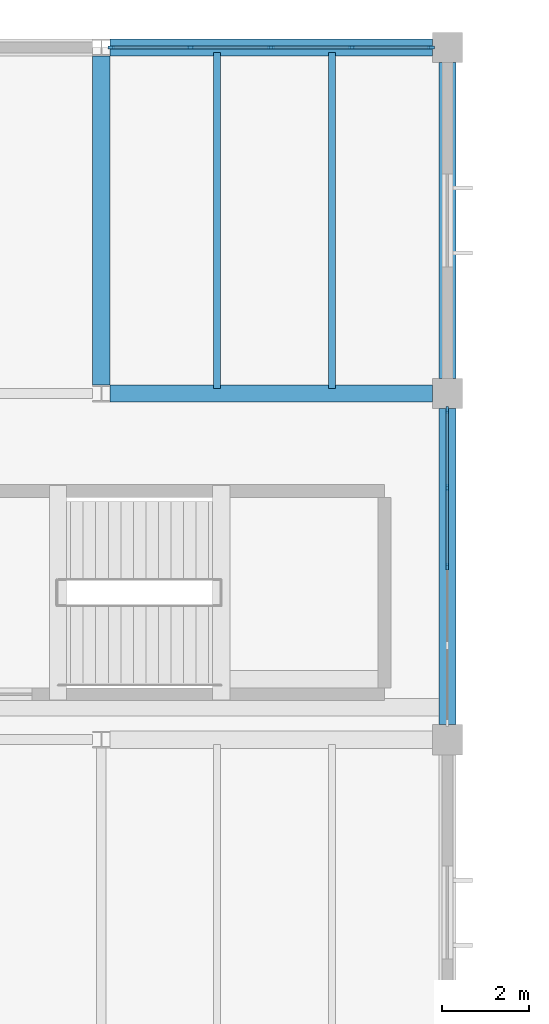
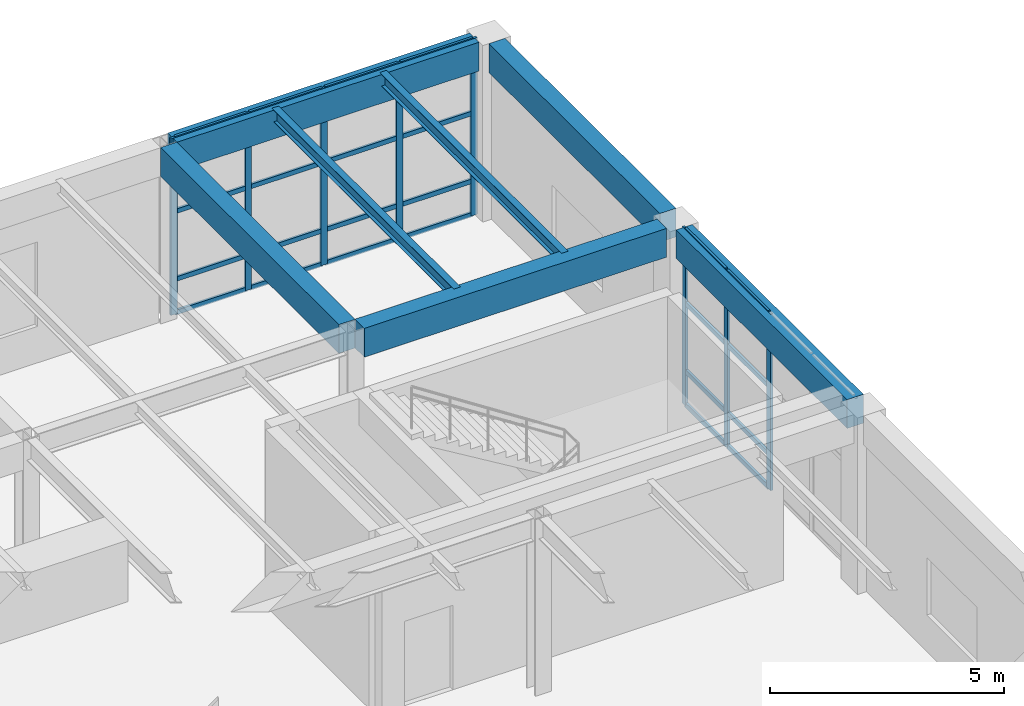
# One storey, part 32 of 60: 32 members, 7 beams, 2 elements without a shape of their own.
"""IFC4 building model written with IfcOpenShell, lengths in metres."""

from ifc_helpers import new_model, si_unit, direction, frame, origin, origin_2d, place, context, subcontext, project, spatial, rectangle, i_section, extrude, material, layer, layer_set, material_profile, profile_set, type_object, element, aggregate, save


model = new_model("IFC4")

# Units and contexts
model_context = context("Model", 3, precision=1e-05, world=origin(), true_north=direction((0.0, 1.0)))
body_context = subcontext(model_context, "Body", "Model", "MODEL_VIEW")
ifc_project = project(units=[si_unit("LENGTHUNIT", "METRE"), si_unit("AREAUNIT", "SQUARE_METRE"), si_unit("VOLUMEUNIT", "CUBIC_METRE"), si_unit("PLANEANGLEUNIT", "RADIAN"), si_unit("MASSUNIT", "GRAM", prefix="KILO")], contexts=[model_context])

# Site, building, storey
site_placement = place(None, origin())
site = spatial("IfcSite", under=ifc_project, at=site_placement, CompositionType="ELEMENT")
building_placement = place(site_placement, origin())
building = spatial("IfcBuilding", under=site, at=building_placement, Name="Varnela Railside Interchange", CompositionType="ELEMENT")
storey_placement = place(building_placement, frame((0.0, 0.0, 6.300048828125)))
storey = spatial("IfcBuildingStorey", under=building, at=storey_placement, Name="L01", CompositionType="ELEMENT", Elevation=6.300048828125)

# Beams
ifc_material_1 = material(Name="Steel AR 350 (350 MPa)", Category="steel")
ifc_material_profile_1 = material_profile(ifc_material_1, i_section(OverallWidth=0.1650390625, OverallDepth=0.31005859375, WebThickness=0.005859375, FlangeThickness=0.009765625, at=origin_2d()), Name="W310x38.7")
ifc_profile_set_1 = profile_set([ifc_material_profile_1], Name="Steel AR 350 (350 MPa)")
beam_type_1 = type_object("IfcBeamType", Name="Composite Floor Joist J-04", PredefinedType="JOIST", material=ifc_profile_set_1)
for number, where, z_axis, x_axis, name in (
    (1, (134.669921875, 86.114501953125, 4.445068359375), (0.0, 1.0, 0.0), (-1.0, 0.0, 0.0), "Composite Floor Joist J-04 (L01) (BM-1508)"),
    (2, (137.330078125, 86.114501953125, 4.445068359375), (0.0, 1.0, 0.0), (-1.0, 0.0, 0.0), "Composite Floor Joist J-04 (L01) (BM-1509)"),
):
    element("IfcBeam", number, at=place(storey_placement, frame(where, z_axis=z_axis, x_axis=x_axis)), inside=storey, type_object=beam_type_1, Name=name, PredefinedType="JOIST", context=body_context, shape_type="SweptSolid", body=[
        extrude(i_section(OverallWidth=0.1650390625, OverallDepth=0.31005859375, WebThickness=0.005859375, FlangeThickness=0.009765625, at=origin_2d()), origin(), (0.0, 0.0, 1.0), 7.77099609375),
    ])

# Curtain wall, members
ifc_material_2 = material(Name="Aluminium 6063-T6", Category="aluminium")
ifc_layer = layer(ifc_material_2, 0.035888671875)
ifc_layer_set = layer_set([ifc_layer], Name="Aluminium 6063-T6")
curtain_wall_type = type_object("IfcCurtainWallType", Name="Study Pavilion Gallery Curtain Wall CW-02", PredefinedType="USERDEFINED", material=ifc_layer_set)
curtain_wall_1_placement = place(storey_placement, origin())
curtain_wall_1 = element("IfcCurtainWall", 3, at=curtain_wall_1_placement, inside=storey, type_object=curtain_wall_type, Name="Curtain Wall CW-02 (L01) (CW-032)", ObjectType="CURTAIN WALL", PredefinedType="USERDEFINED")
ifc_material_profile_2 = material_profile(ifc_material_2, rectangle(XDim=0.06005859375, YDim=0.159912109375, at=origin_2d()), Name="ALU 60x160")
ifc_profile_set_2 = profile_set([ifc_material_profile_2], Name="Aluminium 6063-T6")
member_type_1 = type_object("IfcMemberType", Name="Curtain Wall Mullion ML-02", PredefinedType="MULLION", material=ifc_profile_set_2)
member_1_placement = place(storey_placement, frame((132.22900390625, 94.0, 0.0), z_axis=(0.0, 0.0, 1.0), x_axis=(0.0, 1.0, 0.0)))
member_1 = element("IfcMember", 4, at=member_1_placement, type_object=member_type_1, Name="CW-02 mullion 1", PredefinedType="MULLION", context=body_context, shape_type="SweptSolid", body=[
    extrude(rectangle(XDim=0.06005859375, YDim=0.159912109375, at=origin_2d()), origin(), (0.0, 0.0, 1.0), 4.599853515625),
])
member_2_placement = place(storey_placement, frame((134.061767578125, 94.0, 0.0), z_axis=(0.0, 0.0, 1.0), x_axis=(0.0, 1.0, 0.0)))
member_2 = element("IfcMember", 5, at=member_2_placement, type_object=member_type_1, Name="CW-02 mullion 2", PredefinedType="MULLION", context=body_context, shape_type="SweptSolid", body=[
    extrude(rectangle(XDim=0.06005859375, YDim=0.159912109375, at=origin_2d()), origin(), (0.0, 0.0, 1.0), 4.599853515625),
])
member_3_placement = place(storey_placement, frame((135.924560546875, 94.0, 0.0), z_axis=(0.0, 0.0, 1.0), x_axis=(0.0, 1.0, 0.0)))
member_3 = element("IfcMember", 6, at=member_3_placement, type_object=member_type_1, Name="CW-02 mullion 3", PredefinedType="MULLION", context=body_context, shape_type="SweptSolid", body=[
    extrude(rectangle(XDim=0.06005859375, YDim=0.159912109375, at=origin_2d()), origin(), (0.0, 0.0, 1.0), 4.599853515625),
])
member_4_placement = place(storey_placement, frame((137.787353515625, 94.0, 0.0), z_axis=(0.0, 0.0, 1.0), x_axis=(0.0, 1.0, 0.0)))
member_4 = element("IfcMember", 7, at=member_4_placement, type_object=member_type_1, Name="CW-02 mullion 4", PredefinedType="MULLION", context=body_context, shape_type="SweptSolid", body=[
    extrude(rectangle(XDim=0.06005859375, YDim=0.159912109375, at=origin_2d()), origin(), (0.0, 0.0, 1.0), 4.599853515625),
])
member_5_placement = place(storey_placement, frame((139.6201171875, 94.0, 0.0), z_axis=(0.0, 0.0, 1.0), x_axis=(0.0, 1.0, 0.0)))
member_5 = element("IfcMember", 8, at=member_5_placement, type_object=member_type_1, Name="CW-02 mullion 5", PredefinedType="MULLION", context=body_context, shape_type="SweptSolid", body=[
    extrude(rectangle(XDim=0.06005859375, YDim=0.159912109375, at=origin_2d()), origin(), (0.0, 0.0, 1.0), 4.599853515625),
])

curtain_wall_2_placement = place(storey_placement, origin())
curtain_wall_2 = element("IfcCurtainWall", 9, at=curtain_wall_2_placement, inside=storey, type_object=curtain_wall_type, Name="Curtain Wall CW-02 (L01) (CW-033)", ObjectType="CURTAIN WALL", PredefinedType="USERDEFINED")
member_6_placement = place(storey_placement, frame((140.0, 85.6201171875, 0.0), z_axis=(0.0, 0.0, 1.0), x_axis=(1.0, 0.0, 0.0)))
member_6 = element("IfcMember", 10, at=member_6_placement, type_object=member_type_1, Name="CW-02 mullion 1", PredefinedType="MULLION", context=body_context, shape_type="SweptSolid", body=[
    extrude(rectangle(XDim=0.06005859375, YDim=0.159912109375, at=origin_2d()), origin(), (0.0, 0.0, 1.0), 4.599853515625),
])
member_7_placement = place(storey_placement, frame((140.0, 83.824951171875, 0.0), z_axis=(0.0, 0.0, 1.0), x_axis=(1.0, 0.0, 0.0)))
member_7 = element("IfcMember", 11, at=member_7_placement, type_object=member_type_1, Name="CW-02 mullion 2", PredefinedType="MULLION", context=body_context, shape_type="SweptSolid", body=[
    extrude(rectangle(XDim=0.06005859375, YDim=0.159912109375, at=origin_2d()), origin(), (0.0, 0.0, 1.0), 4.599853515625),
])
member_8_placement = place(storey_placement, frame((140.0, 82.0, 0.0), z_axis=(0.0, 0.0, 1.0), x_axis=(1.0, 0.0, 0.0)))
member_8 = element("IfcMember", 12, at=member_8_placement, type_object=member_type_1, Name="CW-02 mullion 3", PredefinedType="MULLION", context=body_context, shape_type="SweptSolid", body=[
    extrude(rectangle(XDim=0.06005859375, YDim=0.159912109375, at=origin_2d()), origin(), (0.0, 0.0, 1.0), 4.599853515625),
])

# Member
ifc_material_profile_3 = material_profile(ifc_material_2, rectangle(XDim=0.06005859375, YDim=0.1201171875, at=origin_2d()), Name="ALU 60x120")
ifc_profile_set_3 = profile_set([ifc_material_profile_3], Name="Aluminium 6063-T6")
member_type_2 = type_object("IfcMemberType", Name="Curtain Wall Transom TR-02", PredefinedType="USERDEFINED", material=ifc_profile_set_3)
member_9_placement = place(storey_placement, frame((132.259033203125, 94.0, 0.030029296875), z_axis=(1.0, 0.0, 0.0), x_axis=(0.0, 1.0, 0.0)))
member_9 = element("IfcMember", 13, at=member_9_placement, type_object=member_type_2, Name="CW-02 transom 1.1", ObjectType="TRANSOM", PredefinedType="USERDEFINED", context=body_context, shape_type="SweptSolid", body=[
    extrude(rectangle(XDim=0.06005859375, YDim=0.1201171875, at=origin_2d()), origin(), (0.0, 0.0, 1.0), 1.772705078125),
])

member_10_placement = place(storey_placement, frame((132.259033203125, 94.0, 0.89990234375), z_axis=(1.0, 0.0, 0.0), x_axis=(0.0, 1.0, 0.0)))
member_10 = element("IfcMember", 14, at=member_10_placement, type_object=member_type_2, Name="CW-02 transom 1.2", ObjectType="TRANSOM", PredefinedType="USERDEFINED", context=body_context, shape_type="SweptSolid", body=[
    extrude(rectangle(XDim=0.06005859375, YDim=0.1201171875, at=origin_2d()), origin(), (0.0, 0.0, 1.0), 1.772705078125),
])

member_11_placement = place(storey_placement, frame((132.259033203125, 94.0, 2.66796875), z_axis=(1.0, 0.0, 0.0), x_axis=(0.0, 1.0, 0.0)))
member_11 = element("IfcMember", 15, at=member_11_placement, type_object=member_type_2, Name="CW-02 transom 1.3", ObjectType="TRANSOM", PredefinedType="USERDEFINED", context=body_context, shape_type="SweptSolid", body=[
    extrude(rectangle(XDim=0.06005859375, YDim=0.1201171875, at=origin_2d()), origin(), (0.0, 0.0, 1.0), 1.772705078125),
])

member_12_placement = place(storey_placement, frame((132.259033203125, 94.0, 4.570068359375), z_axis=(1.0, 0.0, 0.0), x_axis=(0.0, 1.0, 0.0)))
member_12 = element("IfcMember", 16, at=member_12_placement, type_object=member_type_2, Name="CW-02 transom 1.4", ObjectType="TRANSOM", PredefinedType="USERDEFINED", context=body_context, shape_type="SweptSolid", body=[
    extrude(rectangle(XDim=0.06005859375, YDim=0.1201171875, at=origin_2d()), origin(), (0.0, 0.0, 1.0), 1.772705078125),
])

member_13_placement = place(storey_placement, frame((134.091796875, 94.0, 0.030029296875), z_axis=(1.0, 0.0, 0.0), x_axis=(0.0, 1.0, 0.0)))
member_13 = element("IfcMember", 17, at=member_13_placement, type_object=member_type_2, Name="CW-02 transom 2.1", ObjectType="TRANSOM", PredefinedType="USERDEFINED", context=body_context, shape_type="SweptSolid", body=[
    extrude(rectangle(XDim=0.06005859375, YDim=0.1201171875, at=origin_2d()), origin(), (0.0, 0.0, 1.0), 1.802734375),
])

member_14_placement = place(storey_placement, frame((134.091796875, 94.0, 0.89990234375), z_axis=(1.0, 0.0, 0.0), x_axis=(0.0, 1.0, 0.0)))
member_14 = element("IfcMember", 18, at=member_14_placement, type_object=member_type_2, Name="CW-02 transom 2.2", ObjectType="TRANSOM", PredefinedType="USERDEFINED", context=body_context, shape_type="SweptSolid", body=[
    extrude(rectangle(XDim=0.06005859375, YDim=0.1201171875, at=origin_2d()), origin(), (0.0, 0.0, 1.0), 1.802734375),
])

member_15_placement = place(storey_placement, frame((134.091796875, 94.0, 2.66796875), z_axis=(1.0, 0.0, 0.0), x_axis=(0.0, 1.0, 0.0)))
member_15 = element("IfcMember", 19, at=member_15_placement, type_object=member_type_2, Name="CW-02 transom 2.3", ObjectType="TRANSOM", PredefinedType="USERDEFINED", context=body_context, shape_type="SweptSolid", body=[
    extrude(rectangle(XDim=0.06005859375, YDim=0.1201171875, at=origin_2d()), origin(), (0.0, 0.0, 1.0), 1.802734375),
])

member_16_placement = place(storey_placement, frame((134.091796875, 94.0, 4.570068359375), z_axis=(1.0, 0.0, 0.0), x_axis=(0.0, 1.0, 0.0)))
member_16 = element("IfcMember", 20, at=member_16_placement, type_object=member_type_2, Name="CW-02 transom 2.4", ObjectType="TRANSOM", PredefinedType="USERDEFINED", context=body_context, shape_type="SweptSolid", body=[
    extrude(rectangle(XDim=0.06005859375, YDim=0.1201171875, at=origin_2d()), origin(), (0.0, 0.0, 1.0), 1.802734375),
])

member_17_placement = place(storey_placement, frame((135.95458984375, 94.0, 0.030029296875), z_axis=(1.0, 0.0, 0.0), x_axis=(0.0, 1.0, 0.0)))
member_17 = element("IfcMember", 21, at=member_17_placement, type_object=member_type_2, Name="CW-02 transom 3.1", ObjectType="TRANSOM", PredefinedType="USERDEFINED", context=body_context, shape_type="SweptSolid", body=[
    extrude(rectangle(XDim=0.06005859375, YDim=0.1201171875, at=origin_2d()), origin(), (0.0, 0.0, 1.0), 1.802734375),
])

member_18_placement = place(storey_placement, frame((135.95458984375, 94.0, 0.89990234375), z_axis=(1.0, 0.0, 0.0), x_axis=(0.0, 1.0, 0.0)))
member_18 = element("IfcMember", 22, at=member_18_placement, type_object=member_type_2, Name="CW-02 transom 3.2", ObjectType="TRANSOM", PredefinedType="USERDEFINED", context=body_context, shape_type="SweptSolid", body=[
    extrude(rectangle(XDim=0.06005859375, YDim=0.1201171875, at=origin_2d()), origin(), (0.0, 0.0, 1.0), 1.802734375),
])

member_19_placement = place(storey_placement, frame((135.95458984375, 94.0, 2.66796875), z_axis=(1.0, 0.0, 0.0), x_axis=(0.0, 1.0, 0.0)))
member_19 = element("IfcMember", 23, at=member_19_placement, type_object=member_type_2, Name="CW-02 transom 3.3", ObjectType="TRANSOM", PredefinedType="USERDEFINED", context=body_context, shape_type="SweptSolid", body=[
    extrude(rectangle(XDim=0.06005859375, YDim=0.1201171875, at=origin_2d()), origin(), (0.0, 0.0, 1.0), 1.802734375),
])

member_20_placement = place(storey_placement, frame((135.95458984375, 94.0, 4.570068359375), z_axis=(1.0, 0.0, 0.0), x_axis=(0.0, 1.0, 0.0)))
member_20 = element("IfcMember", 24, at=member_20_placement, type_object=member_type_2, Name="CW-02 transom 3.4", ObjectType="TRANSOM", PredefinedType="USERDEFINED", context=body_context, shape_type="SweptSolid", body=[
    extrude(rectangle(XDim=0.06005859375, YDim=0.1201171875, at=origin_2d()), origin(), (0.0, 0.0, 1.0), 1.802734375),
])

member_21_placement = place(storey_placement, frame((137.817138671875, 94.0, 0.030029296875), z_axis=(1.0, 0.0, 0.0), x_axis=(0.0, 1.0, 0.0)))
member_21 = element("IfcMember", 25, at=member_21_placement, type_object=member_type_2, Name="CW-02 transom 4.1", ObjectType="TRANSOM", PredefinedType="USERDEFINED", context=body_context, shape_type="SweptSolid", body=[
    extrude(rectangle(XDim=0.06005859375, YDim=0.1201171875, at=origin_2d()), origin(), (0.0, 0.0, 1.0), 1.77294921875),
])

member_22_placement = place(storey_placement, frame((137.817138671875, 94.0, 0.89990234375), z_axis=(1.0, 0.0, 0.0), x_axis=(0.0, 1.0, 0.0)))
member_22 = element("IfcMember", 26, at=member_22_placement, type_object=member_type_2, Name="CW-02 transom 4.2", ObjectType="TRANSOM", PredefinedType="USERDEFINED", context=body_context, shape_type="SweptSolid", body=[
    extrude(rectangle(XDim=0.06005859375, YDim=0.1201171875, at=origin_2d()), origin(), (0.0, 0.0, 1.0), 1.77294921875),
])

member_23_placement = place(storey_placement, frame((137.817138671875, 94.0, 2.66796875), z_axis=(1.0, 0.0, 0.0), x_axis=(0.0, 1.0, 0.0)))
member_23 = element("IfcMember", 27, at=member_23_placement, type_object=member_type_2, Name="CW-02 transom 4.3", ObjectType="TRANSOM", PredefinedType="USERDEFINED", context=body_context, shape_type="SweptSolid", body=[
    extrude(rectangle(XDim=0.06005859375, YDim=0.1201171875, at=origin_2d()), origin(), (0.0, 0.0, 1.0), 1.77294921875),
])

member_24_placement = place(storey_placement, frame((137.817138671875, 94.0, 4.570068359375), z_axis=(1.0, 0.0, 0.0), x_axis=(0.0, 1.0, 0.0)))
member_24 = element("IfcMember", 28, at=member_24_placement, type_object=member_type_2, Name="CW-02 transom 4.4", ObjectType="TRANSOM", PredefinedType="USERDEFINED", context=body_context, shape_type="SweptSolid", body=[
    extrude(rectangle(XDim=0.06005859375, YDim=0.1201171875, at=origin_2d()), origin(), (0.0, 0.0, 1.0), 1.77294921875),
])

aggregate(curtain_wall_1, [member_1, member_2, member_3, member_4, member_5, member_9, member_10, member_11, member_12, member_13, member_14, member_15, member_16, member_17, member_18, member_19, member_20, member_21, member_22, member_23, member_24])

member_25_placement = place(storey_placement, frame((140.0, 85.590087890625, 0.030029296875), z_axis=(0.0, -1.0, 0.0), x_axis=(1.0, 0.0, 0.0)))
member_25 = element("IfcMember", 29, at=member_25_placement, type_object=member_type_2, Name="CW-02 transom 1.1", ObjectType="TRANSOM", PredefinedType="USERDEFINED", context=body_context, shape_type="SweptSolid", body=[
    extrude(rectangle(XDim=0.06005859375, YDim=0.1201171875, at=origin_2d()), origin(), (0.0, 0.0, 1.0), 1.735107421875),
])

member_26_placement = place(storey_placement, frame((140.0, 85.590087890625, 0.89990234375), z_axis=(0.0, -1.0, 0.0), x_axis=(1.0, 0.0, 0.0)))
member_26 = element("IfcMember", 30, at=member_26_placement, type_object=member_type_2, Name="CW-02 transom 1.2", ObjectType="TRANSOM", PredefinedType="USERDEFINED", context=body_context, shape_type="SweptSolid", body=[
    extrude(rectangle(XDim=0.06005859375, YDim=0.1201171875, at=origin_2d()), origin(), (0.0, 0.0, 1.0), 1.735107421875),
])

member_27_placement = place(storey_placement, frame((140.0, 85.590087890625, 2.66796875), z_axis=(0.0, -1.0, 0.0), x_axis=(1.0, 0.0, 0.0)))
member_27 = element("IfcMember", 31, at=member_27_placement, type_object=member_type_2, Name="CW-02 transom 1.3", ObjectType="TRANSOM", PredefinedType="USERDEFINED", context=body_context, shape_type="SweptSolid", body=[
    extrude(rectangle(XDim=0.06005859375, YDim=0.1201171875, at=origin_2d()), origin(), (0.0, 0.0, 1.0), 1.735107421875),
])

member_28_placement = place(storey_placement, frame((140.0, 85.590087890625, 4.570068359375), z_axis=(0.0, -1.0, 0.0), x_axis=(1.0, 0.0, 0.0)))
member_28 = element("IfcMember", 32, at=member_28_placement, type_object=member_type_2, Name="CW-02 transom 1.4", ObjectType="TRANSOM", PredefinedType="USERDEFINED", context=body_context, shape_type="SweptSolid", body=[
    extrude(rectangle(XDim=0.06005859375, YDim=0.1201171875, at=origin_2d()), origin(), (0.0, 0.0, 1.0), 1.735107421875),
])

member_29_placement = place(storey_placement, frame((140.0, 83.794921875, 0.030029296875), z_axis=(0.0, -1.0, 0.0), x_axis=(1.0, 0.0, 0.0)))
member_29 = element("IfcMember", 33, at=member_29_placement, type_object=member_type_2, Name="CW-02 transom 2.1", ObjectType="TRANSOM", PredefinedType="USERDEFINED", context=body_context, shape_type="SweptSolid", body=[
    extrude(rectangle(XDim=0.06005859375, YDim=0.1201171875, at=origin_2d()), origin(), (0.0, 0.0, 1.0), 1.764892578125),
])

member_30_placement = place(storey_placement, frame((140.0, 83.794921875, 0.89990234375), z_axis=(0.0, -1.0, 0.0), x_axis=(1.0, 0.0, 0.0)))
member_30 = element("IfcMember", 34, at=member_30_placement, type_object=member_type_2, Name="CW-02 transom 2.2", ObjectType="TRANSOM", PredefinedType="USERDEFINED", context=body_context, shape_type="SweptSolid", body=[
    extrude(rectangle(XDim=0.06005859375, YDim=0.1201171875, at=origin_2d()), origin(), (0.0, 0.0, 1.0), 1.764892578125),
])

member_31_placement = place(storey_placement, frame((140.0, 83.794921875, 2.66796875), z_axis=(0.0, -1.0, 0.0), x_axis=(1.0, 0.0, 0.0)))
member_31 = element("IfcMember", 35, at=member_31_placement, type_object=member_type_2, Name="CW-02 transom 2.3", ObjectType="TRANSOM", PredefinedType="USERDEFINED", context=body_context, shape_type="SweptSolid", body=[
    extrude(rectangle(XDim=0.06005859375, YDim=0.1201171875, at=origin_2d()), origin(), (0.0, 0.0, 1.0), 1.764892578125),
])

member_32_placement = place(storey_placement, frame((140.0, 83.794921875, 4.570068359375), z_axis=(0.0, -1.0, 0.0), x_axis=(1.0, 0.0, 0.0)))
member_32 = element("IfcMember", 36, at=member_32_placement, type_object=member_type_2, Name="CW-02 transom 2.4", ObjectType="TRANSOM", PredefinedType="USERDEFINED", context=body_context, shape_type="SweptSolid", body=[
    extrude(rectangle(XDim=0.06005859375, YDim=0.1201171875, at=origin_2d()), origin(), (0.0, 0.0, 1.0), 1.764892578125),
])

aggregate(curtain_wall_2, [member_6, member_7, member_8, member_25, member_26, member_27, member_28, member_29, member_30, member_31, member_32])

# Beams
ifc_material_3 = material(Name="Concrete C40 precast", Category="concrete")
ifc_material_profile_4 = material_profile(ifc_material_3, rectangle(XDim=0.39990234375, YDim=0.75, at=origin_2d()), Name="PC 400x750")
ifc_profile_set_4 = profile_set([ifc_material_profile_4], Name="Concrete C40 precast")
beam_type_2 = type_object("IfcBeamType", Name="Precast Facade Spandrel SP-03", PredefinedType="SPANDREL", material=ifc_profile_set_4)
for number, where, z_axis, x_axis, name in (
    (37, (132.198974609375, 86.0, 4.224853515625), (1.0, 0.0, 0.0), (0.0, 1.0, 0.0), "Precast Facade Spandrel SP-03 (L01) (BM-1687)"),
    (38, (132.198974609375, 94.0, 4.224853515625), (1.0, 0.0, 0.0), (0.0, 1.0, 0.0), "Precast Facade Spandrel SP-03 (L01) (BM-1696)"),
):
    element("IfcBeam", number, at=place(storey_placement, frame(where, z_axis=z_axis, x_axis=x_axis)), inside=storey, type_object=beam_type_2, Name=name, PredefinedType="SPANDREL", context=body_context, shape_type="SweptSolid", body=[
        extrude(rectangle(XDim=0.39990234375, YDim=0.75, at=origin_2d()), origin(), (0.0, 0.0, 1.0), 7.450927734375),
    ])
beam_placement = place(storey_placement, frame((132.0, 86.193603515625, 4.224853515625), z_axis=(0.0, 1.0, 0.0), x_axis=(-1.0, 0.0, 0.0)))
element("IfcBeam", 39, at=beam_placement, inside=storey, type_object=beam_type_2, Name="Precast Facade Spandrel SP-03 (L01) (BM-1727)", PredefinedType="SPANDREL", context=body_context, shape_type="SweptSolid", body=[
    extrude(rectangle(XDim=0.39990234375, YDim=0.75, at=origin_2d()), origin(), (0.0, 0.0, 1.0), 7.61279296875),
])
for number, where, z_axis, x_axis, name in (
    (40, (140.0, 78.35009765625, 4.224853515625), (0.0, 1.0, 0.0), (-1.0, 0.0, 0.0), "Precast Facade Spandrel SP-03 (L01) (BM-1733)"),
    (41, (140.0, 86.35009765625, 4.224853515625), (0.0, 1.0, 0.0), (-1.0, 0.0, 0.0), "Precast Facade Spandrel SP-03 (L01) (BM-1734)"),
):
    element("IfcBeam", number, at=place(storey_placement, frame(where, z_axis=z_axis, x_axis=x_axis)), inside=storey, type_object=beam_type_2, Name=name, PredefinedType="SPANDREL", context=body_context, shape_type="SweptSolid", body=[
        extrude(rectangle(XDim=0.39990234375, YDim=0.75, at=origin_2d()), origin(), (0.0, 0.0, 1.0), 7.2998046875),
    ])

save(model, "model.ifc")
